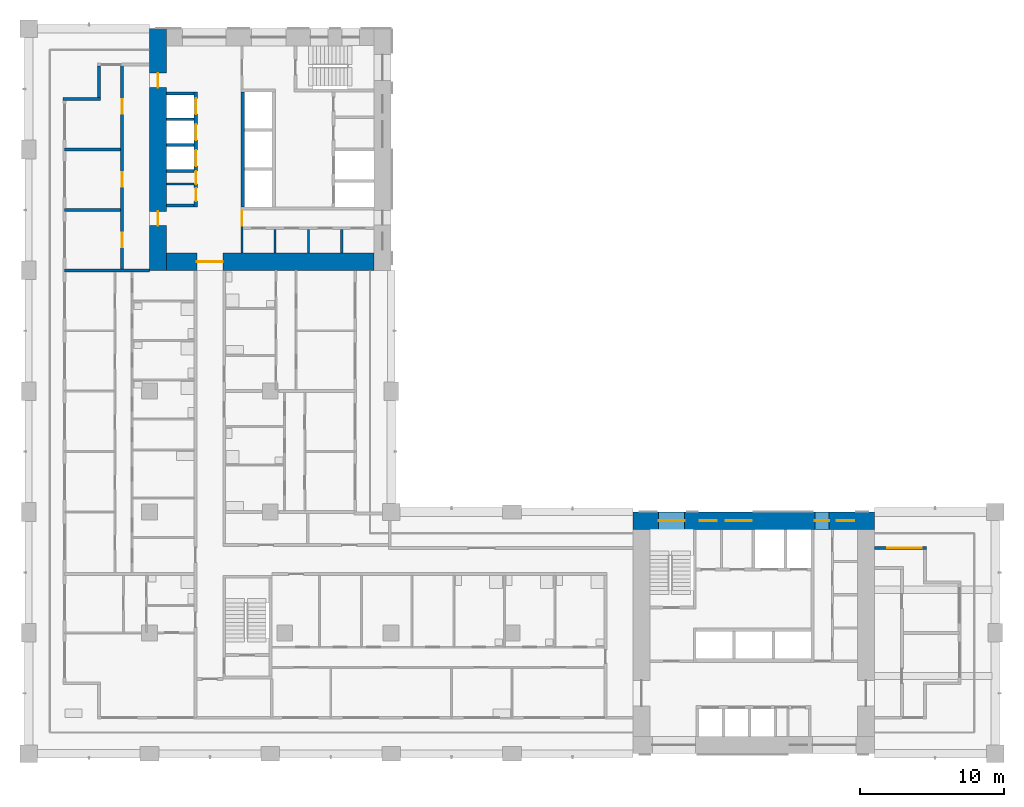
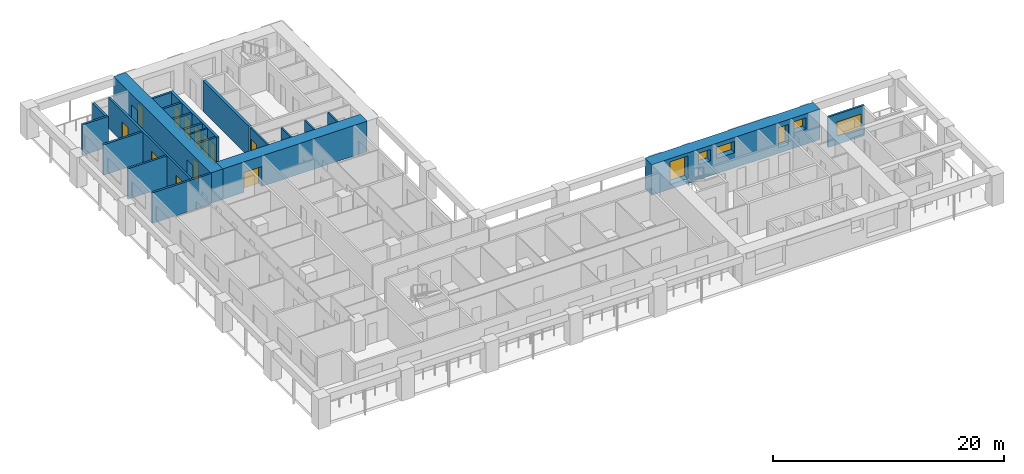
# One storey, part 7 of 17: 22 walls, 12 doors, 6 windows, 18 openings.
"""IFC4 building model written with IfcOpenShell, lengths in metres."""

from ifc_helpers import new_model, si_unit, direction, frame, frame_2d, origin, place, context, subcontext, project, spatial, rectangle, extrude, material, layer, layer_set, type_object, element, fill, save


model = new_model("IFC4")

# Units and contexts
model_context = context("Model", 3, precision=1e-05, world=origin(), true_north=direction((0.0, 1.0)))
body_context = subcontext(model_context, "Body", "Model", "MODEL_VIEW")
ifc_project = project(units=[si_unit("LENGTHUNIT", "METRE"), si_unit("AREAUNIT", "SQUARE_METRE"), si_unit("VOLUMEUNIT", "CUBIC_METRE"), si_unit("PLANEANGLEUNIT", "RADIAN"), si_unit("MASSUNIT", "GRAM", prefix="KILO")], contexts=[model_context])

# Site, building, storey
site_placement = place(None, origin())
site = spatial("IfcSite", under=ifc_project, at=site_placement, CompositionType="ELEMENT")
building_placement = place(site_placement, origin())
building = spatial("IfcBuilding", under=site, at=building_placement, Name="Vermilion Gate Residences", CompositionType="ELEMENT")
storey_placement = place(building_placement, frame((0.0, 0.0, 91.699951171875)))
storey = spatial("IfcBuildingStorey", under=building, at=storey_placement, Name="L22", CompositionType="ELEMENT", Elevation=91.699951171875)

# Wall
ifc_material_1 = material(Name="Masonry blockwork", Category="masonry")
ifc_layer_1 = layer(ifc_material_1, 0.14990234375)
ifc_layer_set_1 = layer_set([ifc_layer_1], Name="BLOCKWORK PARTITION 150 EI 120")
wall_type_1 = type_object("IfcWallType", Name="BLOCKWORK PARTITION 150 EI 120", PredefinedType="PARTITIONING", material=ifc_layer_set_1)
wall_1_placement = place(storey_placement, frame((9.60009765625, 48.007568359375, 0.0), z_axis=(0.0, 0.0, 1.0), x_axis=(1.0, 0.0, 0.0)))
element("IfcWall", 1, at=wall_1_placement, inside=storey, type_object=wall_type_1, Name="Core room partition B22-SR-P0", PredefinedType="PARTITIONING", context=body_context, shape_type="SweptSolid", body=[
    extrude(rectangle(XDim=1.89990234375, YDim=0.14990234375, at=frame_2d((0.949951171875, 0.0))), origin(), (0.0, 0.0, 1.0), 3.219970703125),
])

# Wall, opening, door
wall_2_placement = place(storey_placement, frame((14.824951171875, 46.199951171875, 0.0), z_axis=(0.0, 0.0, 1.0), x_axis=(0.0, -1.0, 0.0)))
wall_2 = element("IfcWall", 2, at=wall_2_placement, inside=storey, type_object=wall_type_1, Name="Core room partition B22-ES-S", PredefinedType="PARTITIONING", context=body_context, shape_type="SweptSolid", body=[
    extrude(rectangle(XDim=3.0, YDim=0.14990234375, at=frame_2d((1.5, 0.0))), origin(), (0.0, 0.0, 1.0), 3.219970703125),
])
opening_1_placement = place(wall_2_placement, frame((0.10009765625, 0.0, 0.0)))
opening_1 = element("IfcOpeningElement", 3, at=opening_1_placement, cuts=wall_2, Name="Opening DK22115", PredefinedType="OPENING", context=body_context, shape_type="SweptSolid", body=[
    extrude(rectangle(XDim=1.0, YDim=2.10009765625, at=frame_2d((0.5, 1.050048828125))), frame((0.0, 0.0849609375, 0.0), z_axis=(0.0, -1.0, 0.0), x_axis=(1.0, 0.0, 0.0)), (0.0, 0.0, 1.0), 0.169921875),
])
ifc_material_2 = material(Name="Steel", Category="steel")
door_type_1 = type_object("IfcDoorType", Name="FIRE DOOR FD60 1000 X 2100", OperationType="SINGLE_SWING_LEFT", PredefinedType="DOOR", material=ifc_material_2)
door_1_placement = place(opening_1_placement, frame((1.0, 0.0, 0.0), z_axis=(0.0, 0.0, 1.0), x_axis=(-1.0, 0.0, 0.0)))
door_1 = element("IfcDoor", 4, at=door_1_placement, inside=storey, type_object=door_type_1, Name="Service corridor door B22", OperationType="SINGLE_SWING_LEFT", OverallHeight=2.10009765625, OverallWidth=1.0, PredefinedType="DOOR", context=body_context, shape_type="SweptSolid", body=[
    extrude(rectangle(XDim=1.0, YDim=2.10009765625, at=frame_2d((0.5, 1.050048828125))), frame((0.0, 0.02490234375, 0.0), z_axis=(0.0, -1.0, 0.0), x_axis=(1.0, 0.0, 0.0)), (0.0, 0.0, 1.0), 0.050048828125),
])
fill(opening_1, door_1)

# Walls
for number, where, z_axis, x_axis, name in (
    (5, (17.137451171875, 44.85009765625, 0.0), (0.0, 0.0, 1.0), (0.0, -1.0, 0.0), "Core room partition B22-ES-P0"),
    (6, (19.449951171875, 44.85009765625, 0.0), (0.0, 0.0, 1.0), (0.0, -1.0, 0.0), "Core room partition B22-ES-P1"),
    (7, (21.762451171875, 44.85009765625, 0.0), (0.0, 0.0, 1.0), (0.0, -1.0, 0.0), "Core room partition B22-ES-P2"),
):
    element("IfcWall", number, at=place(storey_placement, frame(where, z_axis=z_axis, x_axis=x_axis)), inside=storey, type_object=wall_type_1, Name=name, PredefinedType="PARTITIONING", context=body_context, shape_type="SweptSolid", body=[
        extrude(rectangle(XDim=1.650146484375, YDim=0.14990234375, at=frame_2d((0.8251953125, 0.0))), origin(), (0.0, 0.0, 1.0), 3.219970703125),
    ])
ifc_material_3 = material(Name="Insulated steel stud wall with terracotta rainscreen", Category="masonry")
ifc_layer_2 = layer(ifc_material_3, 0.199951171875)
ifc_layer_set_2 = layer_set([ifc_layer_2], Name="EXTERNAL WALL 200 TERRACOTTA RAINSCREEN")
wall_type_2 = type_object("IfcWallType", Name="EXTERNAL WALL 200 TERRACOTTA RAINSCREEN", PredefinedType="SOLIDWALL", material=ifc_layer_set_2)
wall_3_placement = place(storey_placement, frame((4.89990234375, 56.199951171875, 0.0), z_axis=(0.0, 0.0, 1.0), x_axis=(0.0, -1.0, 0.0)))
element("IfcWall", 8, at=wall_3_placement, inside=storey, type_object=wall_type_2, Name="External wall", PredefinedType="SOLIDWALL", context=body_context, shape_type="SweptSolid", body=[
    extrude(rectangle(XDim=2.199951171875, YDim=0.199951171875, at=frame_2d((1.10009765625, 0.0))), origin(), (0.0, 0.0, 1.0), 3.219970703125),
])
wall_4_placement = place(storey_placement, frame((5.0, 53.89990234375, 0.0), z_axis=(0.0, 0.0, 1.0), x_axis=(-1.0, 0.0, 0.0)))
element("IfcWall", 9, at=wall_4_placement, inside=storey, type_object=wall_type_2, Name="External wall", PredefinedType="SOLIDWALL", context=body_context, shape_type="SweptSolid", body=[
    extrude(rectangle(XDim=2.60009765625, YDim=0.199951171875, at=frame_2d((1.300048828125, 0.0))), origin(), (0.0, 0.0, 1.0), 3.219970703125),
])

# Wall, opening, window
wall_5_placement = place(storey_placement, frame((62.39990234375, 22.699951171875, 0.0), z_axis=(0.0, 0.0, 1.0), x_axis=(-1.0, 0.0, 0.0)))
wall_5 = element("IfcWall", 10, at=wall_5_placement, inside=storey, type_object=wall_type_2, Name="External wall", PredefinedType="SOLIDWALL", context=body_context, shape_type="SweptSolid", body=[
    extrude(rectangle(XDim=3.599853515625, YDim=0.199951171875, at=frame_2d((1.7998046875, 0.0))), origin(), (0.0, 0.0, 1.0), 3.219970703125),
])
opening_2_placement = place(wall_5_placement, frame((0.300048828125, 0.0, 0.89990234375)))
opening_2 = element("IfcOpeningElement", 11, at=opening_2_placement, cuts=wall_5, Name="Opening WE22023", PredefinedType="OPENING", context=body_context, shape_type="SweptSolid", body=[
    extrude(rectangle(XDim=2.39990234375, YDim=1.5, at=frame_2d((1.199951171875, 0.75))), frame((0.0, 0.10986328125, 0.0), z_axis=(0.0, -1.0, 0.0), x_axis=(1.0, 0.0, 0.0)), (0.0, 0.0, 1.0), 0.219970703125),
])
ifc_material_4 = material(Name="Aluminium and clear glass", Category="aluminium")
window_type_1 = type_object("IfcWindowType", Name="WINDOW 2400 X 1500", PartitioningType="SINGLE_PANEL", PredefinedType="WINDOW", material=ifc_material_4)
window_1_placement = place(opening_2_placement, origin())
window_1 = element("IfcWindow", 12, at=window_1_placement, inside=storey, type_object=window_type_1, Name="Window", OverallHeight=1.5, OverallWidth=2.39990234375, PartitioningType="SINGLE_PANEL", PredefinedType="WINDOW", context=body_context, shape_type="SweptSolid", body=[
    extrude(rectangle(XDim=2.39990234375, YDim=1.5, at=frame_2d((1.199951171875, 0.75))), frame((0.0, 0.030029296875, 0.0), z_axis=(0.0, -1.0, 0.0), x_axis=(1.0, 0.0, 0.0)), (0.0, 0.0, 1.0), 0.06005859375),
])
fill(opening_2, window_1)

# Walls
ifc_material_5 = material(Name="Fire-rated plasterboard on steel studs", Category="steel")
ifc_layer_3 = layer(ifc_material_5, 0.199951171875)
ifc_layer_set_3 = layer_set([ifc_layer_3], Name="PARTY WALL 200 EI 120")
wall_type_3 = type_object("IfcWallType", Name="PARTY WALL 200 EI 120", PredefinedType="PARTITIONING", material=ifc_layer_set_3)
wall_6_placement = place(storey_placement, frame((2.5, 42.0, 0.0), z_axis=(0.0, 0.0, 1.0), x_axis=(1.0, 0.0, 0.0)))
element("IfcWall", 13, at=wall_6_placement, inside=storey, type_object=wall_type_3, Name="Party and corridor wall", PredefinedType="PARTITIONING", context=body_context, shape_type="SweptSolid", body=[
    extrude(rectangle(XDim=5.89990234375, YDim=0.199951171875, at=frame_2d((2.949951171875, 0.0))), origin(), (0.0, 0.0, 1.0), 3.219970703125),
])
for number, where, z_axis, x_axis, name in (
    (14, (2.5, 46.199951171875, 0.0), (0.0, 0.0, 1.0), (1.0, 0.0, 0.0), "Party and corridor wall"),
    (15, (2.5, 50.39990234375, 0.0), (0.0, 0.0, 1.0), (1.0, 0.0, 0.0), "Party and corridor wall"),
):
    element("IfcWall", number, at=place(storey_placement, frame(where, z_axis=z_axis, x_axis=x_axis)), inside=storey, type_object=wall_type_3, Name=name, PredefinedType="PARTITIONING", context=body_context, shape_type="SweptSolid", body=[
        extrude(rectangle(XDim=3.89990234375, YDim=0.199951171875, at=frame_2d((1.949951171875, 0.0))), origin(), (0.0, 0.0, 1.0), 3.219970703125),
    ])

# Wall, openings, doors
wall_7_placement = place(storey_placement, frame((6.5, 42.10009765625, 0.0), z_axis=(0.0, 0.0, 1.0), x_axis=(0.0, 1.0, 0.0)))
wall_7 = element("IfcWall", 16, at=wall_7_placement, inside=storey, type_object=wall_type_3, Name="Party and corridor wall", PredefinedType="PARTITIONING", context=body_context, shape_type="SweptSolid", body=[
    extrude(rectangle(XDim=14.199951171875, YDim=0.199951171875, at=frame_2d((7.10009765625, 0.0))), origin(), (0.0, 0.0, 1.0), 3.219970703125),
])
opening_3_placement = place(wall_7_placement, frame((1.5, 0.0, 0.0)))
opening_3 = element("IfcOpeningElement", 17, at=opening_3_placement, cuts=wall_7, Name="Opening DA22022", PredefinedType="OPENING", context=body_context, shape_type="SweptSolid", body=[
    extrude(rectangle(XDim=1.0, YDim=2.10009765625, at=frame_2d((0.5, 1.050048828125))), frame((0.0, 0.10986328125, 0.0), z_axis=(0.0, -1.0, 0.0), x_axis=(1.0, 0.0, 0.0)), (0.0, 0.0, 1.0), 0.219970703125),
])
opening_4_placement = place(wall_7_placement, frame((5.699951171875, 0.0, 0.0)))
opening_4 = element("IfcOpeningElement", 18, at=opening_4_placement, cuts=wall_7, Name="Opening DA22023", PredefinedType="OPENING", context=body_context, shape_type="SweptSolid", body=[
    extrude(rectangle(XDim=1.0, YDim=2.10009765625, at=frame_2d((0.5, 1.050048828125))), frame((0.0, 0.10986328125, 0.0), z_axis=(0.0, -1.0, 0.0), x_axis=(1.0, 0.0, 0.0)), (0.0, 0.0, 1.0), 0.219970703125),
])
opening_5_placement = place(wall_7_placement, frame((10.800048828125, 0.0, 0.0)))
opening_5 = element("IfcOpeningElement", 19, at=opening_5_placement, cuts=wall_7, Name="Opening DA22024", PredefinedType="OPENING", context=body_context, shape_type="SweptSolid", body=[
    extrude(rectangle(XDim=1.0, YDim=2.10009765625, at=frame_2d((0.5, 1.050048828125))), frame((0.0, 0.10986328125, 0.0), z_axis=(0.0, -1.0, 0.0), x_axis=(1.0, 0.0, 0.0)), (0.0, 0.0, 1.0), 0.219970703125),
])
ifc_material_6 = material(Name="Steel", Category="steel")
door_type_2 = type_object("IfcDoorType", Name="ENTRANCE DOOR 1000 X 2100 FD30", OperationType="SINGLE_SWING_LEFT", PredefinedType="DOOR", material=ifc_material_6)
door_2_placement = place(opening_3_placement, origin())
door_2 = element("IfcDoor", 20, at=door_2_placement, inside=storey, type_object=door_type_2, Name="Entrance door", OperationType="SINGLE_SWING_LEFT", OverallHeight=2.10009765625, OverallWidth=1.0, PredefinedType="DOOR", context=body_context, shape_type="SweptSolid", body=[
    extrude(rectangle(XDim=1.0, YDim=2.10009765625, at=frame_2d((0.5, 1.050048828125))), frame((0.0, 0.02490234375, 0.0), z_axis=(0.0, -1.0, 0.0), x_axis=(1.0, 0.0, 0.0)), (0.0, 0.0, 1.0), 0.050048828125),
])
fill(opening_3, door_2)
door_3_placement = place(opening_4_placement, origin())
door_3 = element("IfcDoor", 21, at=door_3_placement, inside=storey, type_object=door_type_2, Name="Entrance door", OperationType="SINGLE_SWING_RIGHT", OverallHeight=2.10009765625, OverallWidth=1.0, PredefinedType="DOOR", context=body_context, shape_type="SweptSolid", body=[
    extrude(rectangle(XDim=1.0, YDim=2.10009765625, at=frame_2d((0.5, 1.050048828125))), frame((0.0, 0.02490234375, 0.0), z_axis=(0.0, -1.0, 0.0), x_axis=(1.0, 0.0, 0.0)), (0.0, 0.0, 1.0), 0.050048828125),
])
fill(opening_4, door_3)
door_4_placement = place(opening_5_placement, origin())
door_4 = element("IfcDoor", 22, at=door_4_placement, inside=storey, type_object=door_type_2, Name="Entrance door", OperationType="SINGLE_SWING_RIGHT", OverallHeight=2.10009765625, OverallWidth=1.0, PredefinedType="DOOR", context=body_context, shape_type="SweptSolid", body=[
    extrude(rectangle(XDim=1.0, YDim=2.10009765625, at=frame_2d((0.5, 1.050048828125))), frame((0.0, 0.02490234375, 0.0), z_axis=(0.0, -1.0, 0.0), x_axis=(1.0, 0.0, 0.0)), (0.0, 0.0, 1.0), 0.050048828125),
])
fill(opening_5, door_4)

# Walls
ifc_material_7 = material(Name="Concrete C60", Category="concrete")
ifc_layer_4 = layer(ifc_material_7, 0.199951171875)
ifc_layer_set_4 = layer_set([ifc_layer_4], Name="RC CORE INTERNAL WALL 200 C60")
wall_type_4 = type_object("IfcWallType", Name="RC CORE INTERNAL WALL 200 C60", PredefinedType="SHEAR", material=ifc_layer_set_4)
for number, where, z_axis, x_axis, name in (
    (23, (9.60009765625, 54.300048828125, 0.0), (0.0, 0.0, 1.0), (1.0, 0.0, 0.0), "Core internal wall B22-LR-D0"),
    (24, (9.60009765625, 52.5, 0.0), (0.0, 0.0, 1.0), (1.0, 0.0, 0.0), "Core internal wall B22-LR-D1"),
    (25, (9.60009765625, 50.699951171875, 0.0), (0.0, 0.0, 1.0), (1.0, 0.0, 0.0), "Core internal wall B22-LR-D2"),
    (26, (9.60009765625, 48.89990234375, 0.0), (0.0, 0.0, 1.0), (1.0, 0.0, 0.0), "Core internal wall B22-LR-D3"),
    (27, (9.60009765625, 46.5, 0.0), (0.0, 0.0, 1.0), (1.0, 0.0, 0.0), "Core internal wall B22-LR-DE"),
):
    element("IfcWall", number, at=place(storey_placement, frame(where, z_axis=z_axis, x_axis=x_axis)), inside=storey, type_object=wall_type_4, Name=name, PredefinedType="SHEAR", context=body_context, shape_type="SweptSolid", body=[
        extrude(rectangle(XDim=1.89990234375, YDim=0.199951171875, at=frame_2d((0.949951171875, 0.0))), origin(), (0.0, 0.0, 1.0), 3.219970703125),
    ])

# Wall, openings, doors
ifc_material_8 = material(Name="Concrete C70", Category="concrete")
ifc_layer_5 = layer(ifc_material_8, 1.199951171875)
ifc_layer_set_5 = layer_set([ifc_layer_5], Name="RC CORE WALL 1200 C70")
wall_type_5 = type_object("IfcWallType", Name="RC CORE WALL 1200 C70", PredefinedType="SHEAR", material=ifc_layer_set_5)
wall_8_placement = place(storey_placement, frame((9.0, 58.800048828125, 0.0), z_axis=(0.0, 0.0, 1.0), x_axis=(0.0, -1.0, 0.0)))
wall_8 = element("IfcWall", 28, at=wall_8_placement, inside=storey, type_object=wall_type_5, Name="Core wall B22-OUT-B0", PredefinedType="SHEAR", context=body_context, shape_type="SweptSolid", body=[
    extrude(rectangle(XDim=16.800048828125, YDim=1.199951171875, at=frame_2d((8.39990234375, 0.0))), origin(), (0.0, 0.0, 1.0), 3.219970703125),
])
opening_6_placement = place(wall_8_placement, frame((3.10009765625, 0.0, 0.0)))
opening_6 = element("IfcOpeningElement", 29, at=opening_6_placement, cuts=wall_8, Name="Opening DK22101", PredefinedType="OPENING", context=body_context, shape_type="SweptSolid", body=[
    extrude(rectangle(XDim=1.0, YDim=2.10009765625, at=frame_2d((0.5, 1.050048828125))), frame((0.0, 0.60986328125, 0.0), z_axis=(0.0, -1.0, 0.0), x_axis=(1.0, 0.0, 0.0)), (0.0, 0.0, 1.0), 1.219970703125),
])
opening_7_placement = place(wall_8_placement, frame((12.699951171875, 0.0, 0.0)))
opening_7 = element("IfcOpeningElement", 30, at=opening_7_placement, cuts=wall_8, Name="Opening DK22102", PredefinedType="OPENING", context=body_context, shape_type="SweptSolid", body=[
    extrude(rectangle(XDim=1.0, YDim=2.10009765625, at=frame_2d((0.5, 1.050048828125))), frame((0.0, 0.60986328125, 0.0), z_axis=(0.0, -1.0, 0.0), x_axis=(1.0, 0.0, 0.0)), (0.0, 0.0, 1.0), 1.219970703125),
])
door_5_placement = place(opening_6_placement, origin())
door_5 = element("IfcDoor", 31, at=door_5_placement, inside=storey, type_object=door_type_1, Name="Core lobby side door B22", OperationType="SINGLE_SWING_RIGHT", OverallHeight=2.10009765625, OverallWidth=1.0, PredefinedType="DOOR", context=body_context, shape_type="SweptSolid", body=[
    extrude(rectangle(XDim=1.0, YDim=2.10009765625, at=frame_2d((0.5, 1.050048828125))), frame((0.0, 0.02490234375, 0.0), z_axis=(0.0, -1.0, 0.0), x_axis=(1.0, 0.0, 0.0)), (0.0, 0.0, 1.0), 0.050048828125),
])
fill(opening_6, door_5)
door_6_placement = place(opening_7_placement, origin())
door_6 = element("IfcDoor", 32, at=door_6_placement, inside=storey, type_object=door_type_1, Name="Core lobby side door B22", OperationType="SINGLE_SWING_LEFT", OverallHeight=2.10009765625, OverallWidth=1.0, PredefinedType="DOOR", context=body_context, shape_type="SweptSolid", body=[
    extrude(rectangle(XDim=1.0, YDim=2.10009765625, at=frame_2d((0.5, 1.050048828125))), frame((0.0, 0.02490234375, 0.0), z_axis=(0.0, -1.0, 0.0), x_axis=(1.0, 0.0, 0.0)), (0.0, 0.0, 1.0), 0.050048828125),
])
fill(opening_7, door_6)

# Wall, opening, door
wall_9_placement = place(storey_placement, frame((9.60009765625, 42.60009765625, 0.0), z_axis=(0.0, 0.0, 1.0), x_axis=(1.0, 0.0, 0.0)))
wall_9 = element("IfcWall", 33, at=wall_9_placement, inside=storey, type_object=wall_type_5, Name="Core wall B22-OUT-BK", PredefinedType="SHEAR", context=body_context, shape_type="SweptSolid", body=[
    extrude(rectangle(XDim=14.39990234375, YDim=1.199951171875, at=frame_2d((7.199951171875, 0.0))), origin(), (0.0, 0.0, 1.0), 3.219970703125),
])
opening_8_placement = place(wall_9_placement, frame((2.10009765625, 0.0, 0.0)))
opening_8 = element("IfcOpeningElement", 34, at=opening_8_placement, cuts=wall_9, Name="Opening DK22103", PredefinedType="OPENING", context=body_context, shape_type="SweptSolid", body=[
    extrude(rectangle(XDim=1.800048828125, YDim=2.10009765625, at=frame_2d((0.89990234375, 1.050048828125))), frame((0.0, 0.60986328125, 0.0), z_axis=(0.0, -1.0, 0.0), x_axis=(1.0, 0.0, 0.0)), (0.0, 0.0, 1.0), 1.219970703125),
])
ifc_material_9 = material(Name="Steel", Category="steel")
door_type_3 = type_object("IfcDoorType", Name="CORE LOBBY DOOR FD60 1800 X 2100", OperationType="DOUBLE_DOOR_SINGLE_SWING", PredefinedType="DOOR", material=ifc_material_9)
door_7_placement = place(opening_8_placement, origin())
door_7 = element("IfcDoor", 35, at=door_7_placement, inside=storey, type_object=door_type_3, Name="Core lobby door B22", OperationType="DOUBLE_DOOR_SINGLE_SWING", OverallHeight=2.10009765625, OverallWidth=1.800048828125, PredefinedType="DOOR", context=body_context, shape_type="SweptSolid", body=[
    extrude(rectangle(XDim=1.800048828125, YDim=2.10009765625, at=frame_2d((0.89990234375, 1.050048828125))), frame((0.0, 0.02490234375, 0.0), z_axis=(0.0, -1.0, 0.0), x_axis=(1.0, 0.0, 0.0)), (0.0, 0.0, 1.0), 0.050048828125),
])
fill(opening_8, door_7)

# Wall, openings, windows
ifc_material_10 = material(Name="Concrete C70 red-oxide pigmented", Category="concrete")
ifc_layer_6 = layer(ifc_material_10, 1.199951171875)
ifc_layer_set_6 = layer_set([ifc_layer_6], Name="RC CORE WALL 1200 C70 RED OXIDE")
wall_type_6 = type_object("IfcWallType", Name="RC CORE WALL 1200 C70 RED OXIDE", PredefinedType="SHEAR", material=ifc_layer_set_6)
wall_10_placement = place(storey_placement, frame((42.0, 24.60009765625, 0.0), z_axis=(0.0, 0.0, 1.0), x_axis=(1.0, 0.0, 0.0)))
wall_10 = element("IfcWall", 36, at=wall_10_placement, inside=storey, type_object=wall_type_6, Name="Core wall A22-OUT-B1", PredefinedType="SHEAR", context=body_context, shape_type="SweptSolid", body=[
    extrude(rectangle(XDim=16.800048828125, YDim=1.199951171875, at=frame_2d((8.39990234375, 0.0))), origin(), (0.0, 0.0, 1.0), 3.219970703125),
])
opening_9_placement = place(wall_10_placement, frame((1.800048828125, 0.0, 0.5)))
opening_9 = element("IfcOpeningElement", 37, at=opening_9_placement, cuts=wall_10, Name="Opening WKA2204", PredefinedType="OPENING", context=body_context, shape_type="SweptSolid", body=[
    extrude(rectangle(XDim=1.800048828125, YDim=2.39990234375, at=frame_2d((0.89990234375, 1.199951171875))), frame((0.0, 0.60986328125, 0.0), z_axis=(0.0, -1.0, 0.0), x_axis=(1.0, 0.0, 0.0)), (0.0, 0.0, 1.0), 1.219970703125),
])
opening_10_placement = place(wall_10_placement, frame((4.643798828125, 0.0, 1.60009765625)))
opening_10 = element("IfcOpeningElement", 38, at=opening_10_placement, cuts=wall_10, Name="Opening WKA2205", PredefinedType="OPENING", context=body_context, shape_type="SweptSolid", body=[
    extrude(rectangle(XDim=1.199951171875, YDim=1.199951171875, at=frame_2d((0.60009765625, 0.60009765625))), frame((0.0, 0.60986328125, 0.0), z_axis=(0.0, -1.0, 0.0), x_axis=(1.0, 0.0, 0.0)), (0.0, 0.0, 1.0), 1.219970703125),
])
opening_11_placement = place(wall_10_placement, frame((6.449951171875, 0.0, 1.60009765625)))
opening_11 = element("IfcOpeningElement", 39, at=opening_11_placement, cuts=wall_10, Name="Opening WKA2206", PredefinedType="OPENING", context=body_context, shape_type="SweptSolid", body=[
    extrude(rectangle(XDim=1.800048828125, YDim=1.199951171875, at=frame_2d((0.89990234375, 0.60009765625))), frame((0.0, 0.60986328125, 0.0), z_axis=(0.0, -1.0, 0.0), x_axis=(1.0, 0.0, 0.0)), (0.0, 0.0, 1.0), 1.219970703125),
])
opening_12_placement = place(wall_10_placement, frame((12.64990234375, 0.0, 0.60009765625)))
opening_12 = element("IfcOpeningElement", 40, at=opening_12_placement, cuts=wall_10, Name="Opening WKA2207", PredefinedType="OPENING", context=body_context, shape_type="SweptSolid", body=[
    extrude(rectangle(XDim=1.0, YDim=2.10009765625, at=frame_2d((0.5, 1.050048828125))), frame((0.0, 0.60986328125, 0.0), z_axis=(0.0, -1.0, 0.0), x_axis=(1.0, 0.0, 0.0)), (0.0, 0.0, 1.0), 1.219970703125),
])
opening_13_placement = place(wall_10_placement, frame((14.175048828125, 0.0, 1.60009765625)))
opening_13 = element("IfcOpeningElement", 41, at=opening_13_placement, cuts=wall_10, Name="Opening WKA2208", PredefinedType="OPENING", context=body_context, shape_type="SweptSolid", body=[
    extrude(rectangle(XDim=1.199951171875, YDim=1.199951171875, at=frame_2d((0.60009765625, 0.60009765625))), frame((0.0, 0.60986328125, 0.0), z_axis=(0.0, -1.0, 0.0), x_axis=(1.0, 0.0, 0.0)), (0.0, 0.0, 1.0), 1.219970703125),
])
ifc_material_11 = material(Name="Aluminium and clear glass", Category="aluminium")
window_type_2 = type_object("IfcWindowType", Name="CORE CORRIDOR WINDOW 1000 X 2100", PartitioningType="SINGLE_PANEL", PredefinedType="WINDOW", material=ifc_material_11)
window_2_placement = place(opening_12_placement, origin())
window_2 = element("IfcWindow", 42, at=window_2_placement, inside=storey, type_object=window_type_2, Name="Core corridor window", OverallHeight=2.10009765625, OverallWidth=1.0, PartitioningType="SINGLE_PANEL", PredefinedType="WINDOW", context=body_context, shape_type="SweptSolid", body=[
    extrude(rectangle(XDim=1.0, YDim=2.10009765625, at=frame_2d((0.5, 1.050048828125))), frame((0.0, 0.030029296875, 0.0), z_axis=(0.0, -1.0, 0.0), x_axis=(1.0, 0.0, 0.0)), (0.0, 0.0, 1.0), 0.06005859375),
])
fill(opening_12, window_2)
ifc_material_12 = material(Name="Aluminium frame with louvre blades", Category="aluminium")
window_type_3 = type_object("IfcWindowType", Name="CORE LOUVRE 1200 X 1200", PartitioningType="SINGLE_PANEL", PredefinedType="WINDOW", material=ifc_material_12)
window_3_placement = place(opening_10_placement, origin())
window_3 = element("IfcWindow", 43, at=window_3_placement, inside=storey, type_object=window_type_3, Name="Core louvre", OverallHeight=1.199951171875, OverallWidth=1.199951171875, PartitioningType="SINGLE_PANEL", PredefinedType="WINDOW", context=body_context, shape_type="SweptSolid", body=[
    extrude(rectangle(XDim=1.199951171875, YDim=1.199951171875, at=frame_2d((0.60009765625, 0.60009765625))), frame((0.0, 0.030029296875, 0.0), z_axis=(0.0, -1.0, 0.0), x_axis=(1.0, 0.0, 0.0)), (0.0, 0.0, 1.0), 0.06005859375),
])
fill(opening_10, window_3)
window_4_placement = place(opening_13_placement, origin())
window_4 = element("IfcWindow", 44, at=window_4_placement, inside=storey, type_object=window_type_3, Name="Core louvre", OverallHeight=1.199951171875, OverallWidth=1.199951171875, PartitioningType="SINGLE_PANEL", PredefinedType="WINDOW", context=body_context, shape_type="SweptSolid", body=[
    extrude(rectangle(XDim=1.199951171875, YDim=1.199951171875, at=frame_2d((0.60009765625, 0.60009765625))), frame((0.0, 0.030029296875, 0.0), z_axis=(0.0, -1.0, 0.0), x_axis=(1.0, 0.0, 0.0)), (0.0, 0.0, 1.0), 0.06005859375),
])
fill(opening_13, window_4)
ifc_material_13 = material(Name="Aluminium frame with louvre blades", Category="aluminium")
window_type_4 = type_object("IfcWindowType", Name="CORE LOUVRE 1800 X 1200", PartitioningType="SINGLE_PANEL", PredefinedType="WINDOW", material=ifc_material_13)
window_5_placement = place(opening_11_placement, origin())
window_5 = element("IfcWindow", 45, at=window_5_placement, inside=storey, type_object=window_type_4, Name="Core louvre", OverallHeight=1.199951171875, OverallWidth=1.800048828125, PartitioningType="SINGLE_PANEL", PredefinedType="WINDOW", context=body_context, shape_type="SweptSolid", body=[
    extrude(rectangle(XDim=1.800048828125, YDim=1.199951171875, at=frame_2d((0.89990234375, 0.60009765625))), frame((0.0, 0.030029296875, 0.0), z_axis=(0.0, -1.0, 0.0), x_axis=(1.0, 0.0, 0.0)), (0.0, 0.0, 1.0), 0.06005859375),
])
fill(opening_11, window_5)
ifc_material_14 = material(Name="Aluminium and clear glass", Category="aluminium")
window_type_5 = type_object("IfcWindowType", Name="CORE STAIR WINDOW 1800 X 2400", PartitioningType="SINGLE_PANEL", PredefinedType="WINDOW", material=ifc_material_14)
window_6_placement = place(opening_9_placement, origin())
window_6 = element("IfcWindow", 46, at=window_6_placement, inside=storey, type_object=window_type_5, Name="Core stair window", OverallHeight=2.39990234375, OverallWidth=1.800048828125, PartitioningType="SINGLE_PANEL", PredefinedType="WINDOW", context=body_context, shape_type="SweptSolid", body=[
    extrude(rectangle(XDim=1.800048828125, YDim=2.39990234375, at=frame_2d((0.89990234375, 1.199951171875))), frame((0.0, 0.030029296875, 0.0), z_axis=(0.0, -1.0, 0.0), x_axis=(1.0, 0.0, 0.0)), (0.0, 0.0, 1.0), 0.06005859375),
])
fill(opening_9, window_6)

# Wall, openings, doors
ifc_material_15 = material(Name="Concrete C60", Category="concrete")
ifc_layer_7 = layer(ifc_material_15, 0.25)
ifc_layer_set_7 = layer_set([ifc_layer_7], Name="RC LIFT SHAFT WALL 250 C60")
wall_type_7 = type_object("IfcWallType", Name="RC LIFT SHAFT WALL 250 C60", PredefinedType="SHEAR", material=ifc_layer_set_7)
wall_11_placement = place(storey_placement, frame((11.625, 54.39990234375, 0.0), z_axis=(0.0, 0.0, 1.0), x_axis=(0.0, -1.0, 0.0)))
wall_11 = element("IfcWall", 47, at=wall_11_placement, inside=storey, type_object=wall_type_7, Name="Lift shaft wall B22-LR-F", PredefinedType="SHEAR", context=body_context, shape_type="SweptSolid", body=[
    extrude(rectangle(XDim=8.0, YDim=0.25, at=frame_2d((4.0, 0.0))), origin(), (0.0, 0.0, 1.0), 3.219970703125),
])
opening_14_placement = place(wall_11_placement, frame((0.449951171875, 0.0, 0.0)))
opening_14 = element("IfcOpeningElement", 48, at=opening_14_placement, cuts=wall_11, Name="Opening LD", PredefinedType="OPENING", context=body_context, shape_type="SweptSolid", body=[
    extrude(rectangle(XDim=1.10009765625, YDim=2.10009765625, at=frame_2d((0.550048828125, 1.050048828125))), frame((0.0, 0.135009765625, 0.0), z_axis=(0.0, -1.0, 0.0), x_axis=(1.0, 0.0, 0.0)), (0.0, 0.0, 1.0), 0.27001953125),
])
opening_15_placement = place(wall_11_placement, frame((2.25, 0.0, 0.0)))
opening_15 = element("IfcOpeningElement", 49, at=opening_15_placement, cuts=wall_11, Name="Opening LD", PredefinedType="OPENING", context=body_context, shape_type="SweptSolid", body=[
    extrude(rectangle(XDim=1.10009765625, YDim=2.10009765625, at=frame_2d((0.550048828125, 1.050048828125))), frame((0.0, 0.135009765625, 0.0), z_axis=(0.0, -1.0, 0.0), x_axis=(1.0, 0.0, 0.0)), (0.0, 0.0, 1.0), 0.27001953125),
])
opening_16_placement = place(wall_11_placement, frame((4.050048828125, 0.0, 0.0)))
opening_16 = element("IfcOpeningElement", 50, at=opening_16_placement, cuts=wall_11, Name="Opening LD", PredefinedType="OPENING", context=body_context, shape_type="SweptSolid", body=[
    extrude(rectangle(XDim=1.10009765625, YDim=2.10009765625, at=frame_2d((0.550048828125, 1.050048828125))), frame((0.0, 0.135009765625, 0.0), z_axis=(0.0, -1.0, 0.0), x_axis=(1.0, 0.0, 0.0)), (0.0, 0.0, 1.0), 0.27001953125),
])
opening_17_placement = place(wall_11_placement, frame((5.5087890625, 0.0, 0.0)))
opening_17 = element("IfcOpeningElement", 51, at=opening_17_placement, cuts=wall_11, Name="Opening DK22107", PredefinedType="OPENING", context=body_context, shape_type="SweptSolid", body=[
    extrude(rectangle(XDim=0.89990234375, YDim=2.10009765625, at=frame_2d((0.449951171875, 1.050048828125))), frame((0.0, 0.135009765625, 0.0), z_axis=(0.0, -1.0, 0.0), x_axis=(1.0, 0.0, 0.0)), (0.0, 0.0, 1.0), 0.27001953125),
])
opening_18_placement = place(wall_11_placement, frame((6.683837890625, 0.0, 0.0)))
opening_18 = element("IfcOpeningElement", 52, at=opening_18_placement, cuts=wall_11, Name="Opening DK22108", PredefinedType="OPENING", context=body_context, shape_type="SweptSolid", body=[
    extrude(rectangle(XDim=0.89990234375, YDim=2.10009765625, at=frame_2d((0.449951171875, 1.050048828125))), frame((0.0, 0.135009765625, 0.0), z_axis=(0.0, -1.0, 0.0), x_axis=(1.0, 0.0, 0.0)), (0.0, 0.0, 1.0), 0.27001953125),
])
ifc_material_16 = material(Name="Stainless steel", Category="steel")
door_type_4 = type_object("IfcDoorType", Name="LIFT LANDING DOOR E60 1100 X 2100", OperationType="DOUBLE_DOOR_SLIDING", PredefinedType="DOOR", material=ifc_material_16)
door_8_placement = place(opening_14_placement, origin())
door_8 = element("IfcDoor", 53, at=door_8_placement, inside=storey, type_object=door_type_4, Name="Lift landing door LRB1", OperationType="DOUBLE_DOOR_SLIDING", OverallHeight=2.10009765625, OverallWidth=1.10009765625, PredefinedType="DOOR", context=body_context, shape_type="SweptSolid", body=[
    extrude(rectangle(XDim=1.10009765625, YDim=2.10009765625, at=frame_2d((0.550048828125, 1.050048828125))), frame((0.0, 0.02490234375, 0.0), z_axis=(0.0, -1.0, 0.0), x_axis=(1.0, 0.0, 0.0)), (0.0, 0.0, 1.0), 0.050048828125),
])
fill(opening_14, door_8)
door_9_placement = place(opening_15_placement, origin())
door_9 = element("IfcDoor", 54, at=door_9_placement, inside=storey, type_object=door_type_4, Name="Lift landing door LRB2", OperationType="DOUBLE_DOOR_SLIDING", OverallHeight=2.10009765625, OverallWidth=1.10009765625, PredefinedType="DOOR", context=body_context, shape_type="SweptSolid", body=[
    extrude(rectangle(XDim=1.10009765625, YDim=2.10009765625, at=frame_2d((0.550048828125, 1.050048828125))), frame((0.0, 0.02490234375, 0.0), z_axis=(0.0, -1.0, 0.0), x_axis=(1.0, 0.0, 0.0)), (0.0, 0.0, 1.0), 0.050048828125),
])
fill(opening_15, door_9)
door_10_placement = place(opening_16_placement, origin())
door_10 = element("IfcDoor", 55, at=door_10_placement, inside=storey, type_object=door_type_4, Name="Lift landing door LRB3", OperationType="DOUBLE_DOOR_SLIDING", OverallHeight=2.10009765625, OverallWidth=1.10009765625, PredefinedType="DOOR", context=body_context, shape_type="SweptSolid", body=[
    extrude(rectangle(XDim=1.10009765625, YDim=2.10009765625, at=frame_2d((0.550048828125, 1.050048828125))), frame((0.0, 0.02490234375, 0.0), z_axis=(0.0, -1.0, 0.0), x_axis=(1.0, 0.0, 0.0)), (0.0, 0.0, 1.0), 0.050048828125),
])
fill(opening_16, door_10)
ifc_material_17 = material(Name="Steel", Category="steel")
door_type_5 = type_object("IfcDoorType", Name="SERVICE ROOM DOOR FD60 900 X 2100", OperationType="SINGLE_SWING_LEFT", PredefinedType="DOOR", material=ifc_material_17)
door_11_placement = place(opening_17_placement, origin())
door_11 = element("IfcDoor", 56, at=door_11_placement, inside=storey, type_object=door_type_5, Name="Communications room B22", OperationType="SINGLE_SWING_LEFT", OverallHeight=2.10009765625, OverallWidth=0.89990234375, PredefinedType="DOOR", context=body_context, shape_type="SweptSolid", body=[
    extrude(rectangle(XDim=0.89990234375, YDim=2.10009765625, at=frame_2d((0.449951171875, 1.050048828125))), frame((0.0, 0.02490234375, 0.0), z_axis=(0.0, -1.0, 0.0), x_axis=(1.0, 0.0, 0.0)), (0.0, 0.0, 1.0), 0.050048828125),
])
fill(opening_17, door_11)
door_12_placement = place(opening_18_placement, frame((0.89990234375, 0.0, 0.0), z_axis=(0.0, 0.0, 1.0), x_axis=(-1.0, 0.0, 0.0)))
door_12 = element("IfcDoor", 57, at=door_12_placement, inside=storey, type_object=door_type_5, Name="Refuse room B22", OperationType="SINGLE_SWING_RIGHT", OverallHeight=2.10009765625, OverallWidth=0.89990234375, PredefinedType="DOOR", context=body_context, shape_type="SweptSolid", body=[
    extrude(rectangle(XDim=0.89990234375, YDim=2.10009765625, at=frame_2d((0.449951171875, 1.050048828125))), frame((0.0, 0.02490234375, 0.0), z_axis=(0.0, -1.0, 0.0), x_axis=(1.0, 0.0, 0.0)), (0.0, 0.0, 1.0), 0.050048828125),
])
fill(opening_18, door_12)

# Wall
wall_12_placement = place(storey_placement, frame((14.875, 54.39990234375, 0.0), z_axis=(0.0, 0.0, 1.0), x_axis=(0.0, -1.0, 0.0)))
element("IfcWall", 58, at=wall_12_placement, inside=storey, type_object=wall_type_7, Name="Lift shaft wall B22-HR-F", PredefinedType="SHEAR", context=body_context, shape_type="SweptSolid", body=[
    extrude(rectangle(XDim=8.0, YDim=0.25, at=frame_2d((4.0, 0.0))), origin(), (0.0, 0.0, 1.0), 3.219970703125),
])

save(model, "model.ifc")
